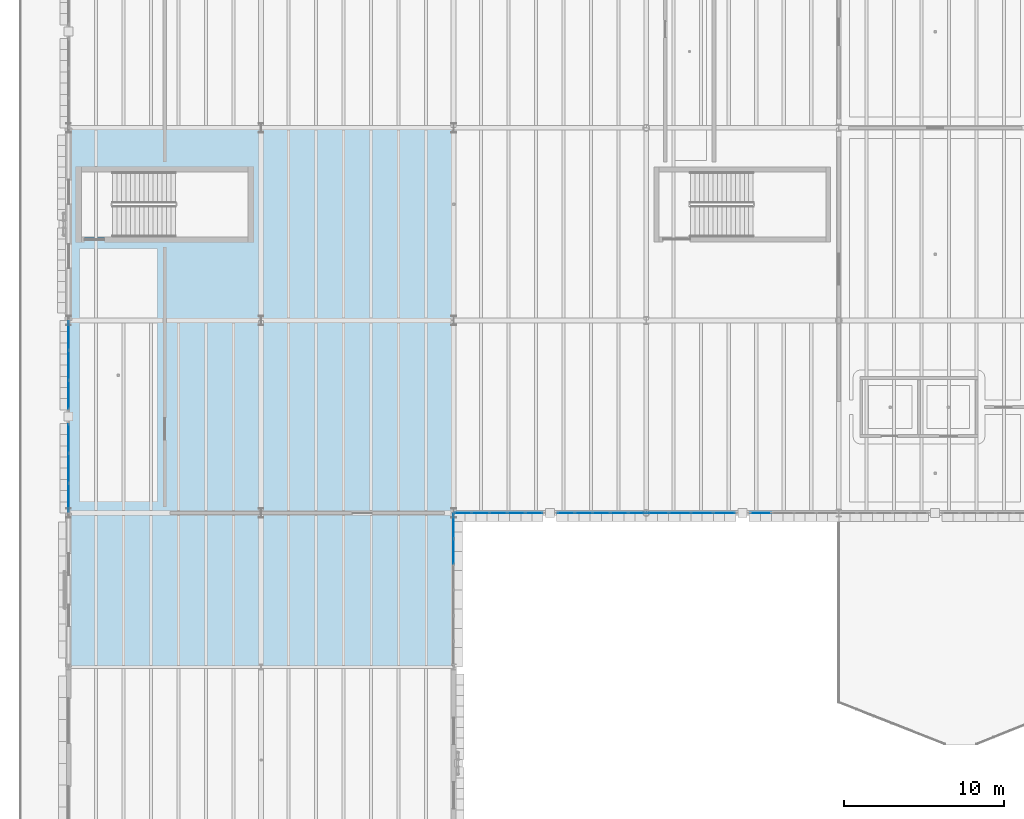
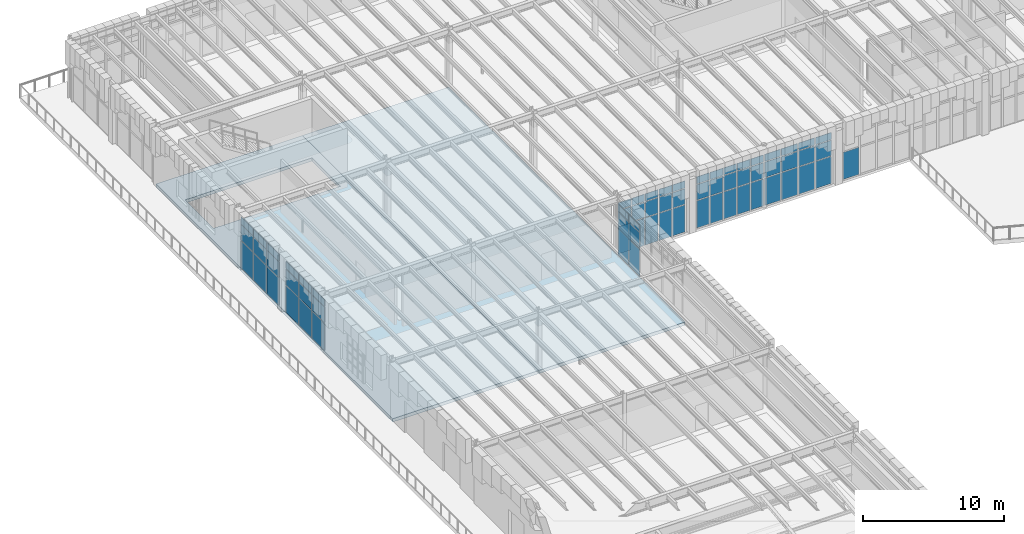
# One storey, part 41 of 103: 67 plates, 2 slabs, 7 elements without a shape of their own.
"""IFC4 building model written with IfcOpenShell, lengths in metres."""

from ifc_helpers import new_model, si_unit, direction, frame, origin, origin_2d, place, context, subcontext, project, spatial, polyline, rectangle, outline, extrude, material, layer, layer_set, type_object, element, aggregate, save


model = new_model("IFC4")

# Units and contexts
model_context = context("Model", 3, precision=1e-05, world=origin(), true_north=direction((0.0, 1.0)))
body_context = subcontext(model_context, "Body", "Model", "MODEL_VIEW")
ifc_project = project(units=[si_unit("LENGTHUNIT", "METRE"), si_unit("AREAUNIT", "SQUARE_METRE"), si_unit("VOLUMEUNIT", "CUBIC_METRE"), si_unit("PLANEANGLEUNIT", "RADIAN"), si_unit("MASSUNIT", "GRAM", prefix="KILO")], contexts=[model_context])

# Site, building, storey
site_placement = place(None, origin())
site = spatial("IfcSite", under=ifc_project, at=site_placement, CompositionType="ELEMENT")
building_placement = place(site_placement, origin())
building = spatial("IfcBuilding", under=site, at=building_placement, Name="Zlatogorsky Bluff Art Gallery", CompositionType="ELEMENT")
storey_placement = place(building_placement, origin())
storey = spatial("IfcBuildingStorey", under=building, at=storey_placement, Name="L00", CompositionType="ELEMENT", Elevation=0.0)

# Curtain wall, plates
ifc_material_1 = material(Name="Anodised Bronze Aluminium and Low-Iron Triple Glazing", Category="aluminium")
ifc_layer_1 = layer(ifc_material_1, 0.219970703125)
ifc_layer_set_1 = layer_set([ifc_layer_1], Name="Curtain Wall CW-04")
curtain_wall_type_1 = type_object("IfcCurtainWallType", Name="Curtain Wall CW-04", PredefinedType="USERDEFINED", material=ifc_layer_set_1)
curtain_wall_1_placement = place(storey_placement, origin())
curtain_wall_1 = element("IfcCurtainWall", 1, at=curtain_wall_1_placement, inside=storey, type_object=curtain_wall_type_1, Name="Unitised curtain wall CW-04 L00 W 0.8-A", ObjectType="CURTAIN WALL", PredefinedType="USERDEFINED")
ifc_material_2 = material(Name="Low-Iron Laminated Triple Glazing", Category="glass")
ifc_layer_2 = layer(ifc_material_2, 0.035888671875)
ifc_layer_set_2 = layer_set([ifc_layer_2], Name="Glazed Curtain Panel CWP-01")
plate_type = type_object("IfcPlateType", Name="Glazed Curtain Panel CWP-01", PredefinedType="CURTAIN_PANEL", material=ifc_layer_set_2)
plate_1_placement = place(storey_placement, frame((0.0, 95.0537109375, 0.06494140625), z_axis=(0.0, 0.0, 1.0), x_axis=(0.0, -1.0, 0.0)))
plate_1 = element("IfcPlate", 2, at=plate_1_placement, type_object=plate_type, Name="CW-04 panel 1.1", PredefinedType="CURTAIN_PANEL", context=body_context, shape_type="SweptSolid", body=[
    extrude(rectangle(XDim=1.762451171875, YDim=0.035888671875, at=origin_2d()), origin(), (0.0, 0.0, 1.0), 2.3525390625),
])
plate_2_placement = place(storey_placement, frame((0.0, 95.0537109375, 2.482421875), z_axis=(0.0, 0.0, 1.0), x_axis=(0.0, -1.0, 0.0)))
plate_2 = element("IfcPlate", 3, at=plate_2_placement, type_object=plate_type, Name="CW-04 panel 1.2", PredefinedType="CURTAIN_PANEL", context=body_context, shape_type="SweptSolid", body=[
    extrude(rectangle(XDim=1.762451171875, YDim=0.035888671875, at=origin_2d()), origin(), (0.0, 0.0, 1.0), 1.3349609375),
])
plate_3_placement = place(storey_placement, frame((0.0, 95.0537109375, 3.88232421875), z_axis=(0.0, 0.0, 1.0), x_axis=(0.0, -1.0, 0.0)))
plate_3 = element("IfcPlate", 4, at=plate_3_placement, type_object=plate_type, Name="CW-04 panel 1.3", PredefinedType="CURTAIN_PANEL", context=body_context, shape_type="SweptSolid", body=[
    extrude(rectangle(XDim=1.762451171875, YDim=0.035888671875, at=origin_2d()), origin(), (0.0, 0.0, 1.0), 0.612548828125),
])
plate_4_placement = place(storey_placement, frame((0.0, 93.2099609375, 0.06494140625), z_axis=(0.0, 0.0, 1.0), x_axis=(0.0, -1.0, 0.0)))
plate_4 = element("IfcPlate", 5, at=plate_4_placement, type_object=plate_type, Name="CW-04 panel 2.1", PredefinedType="CURTAIN_PANEL", context=body_context, shape_type="SweptSolid", body=[
    extrude(rectangle(XDim=1.794921875, YDim=0.035888671875, at=origin_2d()), origin(), (0.0, 0.0, 1.0), 2.3525390625),
])
plate_5_placement = place(storey_placement, frame((0.0, 93.2099609375, 2.482421875), z_axis=(0.0, 0.0, 1.0), x_axis=(0.0, -1.0, 0.0)))
plate_5 = element("IfcPlate", 6, at=plate_5_placement, type_object=plate_type, Name="CW-04 panel 2.2", PredefinedType="CURTAIN_PANEL", context=body_context, shape_type="SweptSolid", body=[
    extrude(rectangle(XDim=1.794921875, YDim=0.035888671875, at=origin_2d()), origin(), (0.0, 0.0, 1.0), 1.3349609375),
])
plate_6_placement = place(storey_placement, frame((0.0, 93.2099609375, 3.88232421875), z_axis=(0.0, 0.0, 1.0), x_axis=(0.0, -1.0, 0.0)))
plate_6 = element("IfcPlate", 7, at=plate_6_placement, type_object=plate_type, Name="CW-04 panel 2.3", PredefinedType="CURTAIN_PANEL", context=body_context, shape_type="SweptSolid", body=[
    extrude(rectangle(XDim=1.794921875, YDim=0.035888671875, at=origin_2d()), origin(), (0.0, 0.0, 1.0), 0.612548828125),
])
plate_7_placement = place(storey_placement, frame((0.0, 91.3662109375, 0.06494140625), z_axis=(0.0, 0.0, 1.0), x_axis=(0.0, -1.0, 0.0)))
plate_7 = element("IfcPlate", 8, at=plate_7_placement, type_object=plate_type, Name="CW-04 panel 3.1", PredefinedType="CURTAIN_PANEL", context=body_context, shape_type="SweptSolid", body=[
    extrude(rectangle(XDim=1.762451171875, YDim=0.035888671875, at=origin_2d()), origin(), (0.0, 0.0, 1.0), 2.3525390625),
])
plate_8_placement = place(storey_placement, frame((0.0, 91.3662109375, 2.482421875), z_axis=(0.0, 0.0, 1.0), x_axis=(0.0, -1.0, 0.0)))
plate_8 = element("IfcPlate", 9, at=plate_8_placement, type_object=plate_type, Name="CW-04 panel 3.2", PredefinedType="CURTAIN_PANEL", context=body_context, shape_type="SweptSolid", body=[
    extrude(rectangle(XDim=1.762451171875, YDim=0.035888671875, at=origin_2d()), origin(), (0.0, 0.0, 1.0), 1.3349609375),
])
plate_9_placement = place(storey_placement, frame((0.0, 91.3662109375, 3.88232421875), z_axis=(0.0, 0.0, 1.0), x_axis=(0.0, -1.0, 0.0)))
plate_9 = element("IfcPlate", 10, at=plate_9_placement, type_object=plate_type, Name="CW-04 panel 3.3", PredefinedType="CURTAIN_PANEL", context=body_context, shape_type="SweptSolid", body=[
    extrude(rectangle(XDim=1.762451171875, YDim=0.035888671875, at=origin_2d()), origin(), (0.0, 0.0, 1.0), 0.612548828125),
])
aggregate(curtain_wall_1, [plate_1, plate_2, plate_3, plate_4, plate_5, plate_6, plate_7, plate_8, plate_9])

curtain_wall_2_placement = place(storey_placement, origin())
curtain_wall_2 = element("IfcCurtainWall", 11, at=curtain_wall_2_placement, inside=storey, type_object=curtain_wall_type_1, Name="Unitised curtain wall CW-04 L00 W 0.8-B", ObjectType="CURTAIN WALL", PredefinedType="USERDEFINED")
plate_10_placement = place(storey_placement, frame((0.0, 88.6337890625, 0.06494140625), z_axis=(0.0, 0.0, 1.0), x_axis=(0.0, -1.0, 0.0)))
plate_10 = element("IfcPlate", 12, at=plate_10_placement, type_object=plate_type, Name="CW-04 panel 1.1", PredefinedType="CURTAIN_PANEL", context=body_context, shape_type="SweptSolid", body=[
    extrude(rectangle(XDim=1.762451171875, YDim=0.035888671875, at=origin_2d()), origin(), (0.0, 0.0, 1.0), 2.3525390625),
])
plate_11_placement = place(storey_placement, frame((0.0, 88.6337890625, 2.482421875), z_axis=(0.0, 0.0, 1.0), x_axis=(0.0, -1.0, 0.0)))
plate_11 = element("IfcPlate", 13, at=plate_11_placement, type_object=plate_type, Name="CW-04 panel 1.2", PredefinedType="CURTAIN_PANEL", context=body_context, shape_type="SweptSolid", body=[
    extrude(rectangle(XDim=1.762451171875, YDim=0.035888671875, at=origin_2d()), origin(), (0.0, 0.0, 1.0), 1.3349609375),
])
plate_12_placement = place(storey_placement, frame((0.0, 88.6337890625, 3.88232421875), z_axis=(0.0, 0.0, 1.0), x_axis=(0.0, -1.0, 0.0)))
plate_12 = element("IfcPlate", 14, at=plate_12_placement, type_object=plate_type, Name="CW-04 panel 1.3", PredefinedType="CURTAIN_PANEL", context=body_context, shape_type="SweptSolid", body=[
    extrude(rectangle(XDim=1.762451171875, YDim=0.035888671875, at=origin_2d()), origin(), (0.0, 0.0, 1.0), 0.612548828125),
])
plate_13_placement = place(storey_placement, frame((0.0, 86.7900390625, 0.06494140625), z_axis=(0.0, 0.0, 1.0), x_axis=(0.0, -1.0, 0.0)))
plate_13 = element("IfcPlate", 15, at=plate_13_placement, type_object=plate_type, Name="CW-04 panel 2.1", PredefinedType="CURTAIN_PANEL", context=body_context, shape_type="SweptSolid", body=[
    extrude(rectangle(XDim=1.794921875, YDim=0.035888671875, at=origin_2d()), origin(), (0.0, 0.0, 1.0), 2.3525390625),
])
plate_14_placement = place(storey_placement, frame((0.0, 86.7900390625, 2.482421875), z_axis=(0.0, 0.0, 1.0), x_axis=(0.0, -1.0, 0.0)))
plate_14 = element("IfcPlate", 16, at=plate_14_placement, type_object=plate_type, Name="CW-04 panel 2.2", PredefinedType="CURTAIN_PANEL", context=body_context, shape_type="SweptSolid", body=[
    extrude(rectangle(XDim=1.794921875, YDim=0.035888671875, at=origin_2d()), origin(), (0.0, 0.0, 1.0), 1.3349609375),
])
plate_15_placement = place(storey_placement, frame((0.0, 86.7900390625, 3.88232421875), z_axis=(0.0, 0.0, 1.0), x_axis=(0.0, -1.0, 0.0)))
plate_15 = element("IfcPlate", 17, at=plate_15_placement, type_object=plate_type, Name="CW-04 panel 2.3", PredefinedType="CURTAIN_PANEL", context=body_context, shape_type="SweptSolid", body=[
    extrude(rectangle(XDim=1.794921875, YDim=0.035888671875, at=origin_2d()), origin(), (0.0, 0.0, 1.0), 0.612548828125),
])
plate_16_placement = place(storey_placement, frame((0.0, 84.9462890625, 0.06494140625), z_axis=(0.0, 0.0, 1.0), x_axis=(0.0, -1.0, 0.0)))
plate_16 = element("IfcPlate", 18, at=plate_16_placement, type_object=plate_type, Name="CW-04 panel 3.1", PredefinedType="CURTAIN_PANEL", context=body_context, shape_type="SweptSolid", body=[
    extrude(rectangle(XDim=1.762451171875, YDim=0.035888671875, at=origin_2d()), origin(), (0.0, 0.0, 1.0), 2.3525390625),
])
plate_17_placement = place(storey_placement, frame((0.0, 84.9462890625, 2.482421875), z_axis=(0.0, 0.0, 1.0), x_axis=(0.0, -1.0, 0.0)))
plate_17 = element("IfcPlate", 19, at=plate_17_placement, type_object=plate_type, Name="CW-04 panel 3.2", PredefinedType="CURTAIN_PANEL", context=body_context, shape_type="SweptSolid", body=[
    extrude(rectangle(XDim=1.762451171875, YDim=0.035888671875, at=origin_2d()), origin(), (0.0, 0.0, 1.0), 1.3349609375),
])
plate_18_placement = place(storey_placement, frame((0.0, 84.9462890625, 3.88232421875), z_axis=(0.0, 0.0, 1.0), x_axis=(0.0, -1.0, 0.0)))
plate_18 = element("IfcPlate", 20, at=plate_18_placement, type_object=plate_type, Name="CW-04 panel 3.3", PredefinedType="CURTAIN_PANEL", context=body_context, shape_type="SweptSolid", body=[
    extrude(rectangle(XDim=1.762451171875, YDim=0.035888671875, at=origin_2d()), origin(), (0.0, 0.0, 1.0), 0.612548828125),
])
aggregate(curtain_wall_2, [plate_10, plate_11, plate_12, plate_13, plate_14, plate_15, plate_16, plate_17, plate_18])

ifc_layer_3 = layer(ifc_material_1, 0.199951171875)
ifc_layer_set_3 = layer_set([ifc_layer_3], Name="Curtain Wall CW-02")
curtain_wall_type_2 = type_object("IfcCurtainWallType", Name="Curtain Wall CW-02", PredefinedType="USERDEFINED", material=ifc_layer_set_3)
curtain_wall_3_placement = place(storey_placement, origin())
curtain_wall_3 = element("IfcCurtainWall", 21, at=curtain_wall_3_placement, inside=storey, type_object=curtain_wall_type_2, Name="Unitised curtain wall CW-02 L00 E 1.7", ObjectType="CURTAIN WALL", PredefinedType="USERDEFINED")
plate_19_placement = place(storey_placement, frame((24.0, 81.60009765625, 0.06494140625), z_axis=(0.0, 0.0, 1.0), x_axis=(0.0, 1.0, 0.0)))
plate_19 = element("IfcPlate", 22, at=plate_19_placement, type_object=plate_type, Name="CW-02 panel 5.1", PredefinedType="CURTAIN_PANEL", context=body_context, shape_type="SweptSolid", body=[
    extrude(rectangle(XDim=1.534912109375, YDim=0.035888671875, at=origin_2d()), origin(), (0.0, 0.0, 1.0), 2.3525390625),
])
plate_20_placement = place(storey_placement, frame((24.0, 81.60009765625, 2.482421875), z_axis=(0.0, 0.0, 1.0), x_axis=(0.0, 1.0, 0.0)))
plate_20 = element("IfcPlate", 23, at=plate_20_placement, type_object=plate_type, Name="CW-02 panel 5.2", PredefinedType="CURTAIN_PANEL", context=body_context, shape_type="SweptSolid", body=[
    extrude(rectangle(XDim=1.534912109375, YDim=0.035888671875, at=origin_2d()), origin(), (0.0, 0.0, 1.0), 1.3349609375),
])
plate_21_placement = place(storey_placement, frame((24.0, 81.60009765625, 3.88232421875), z_axis=(0.0, 0.0, 1.0), x_axis=(0.0, 1.0, 0.0)))
plate_21 = element("IfcPlate", 24, at=plate_21_placement, type_object=plate_type, Name="CW-02 panel 5.3", PredefinedType="CURTAIN_PANEL", context=body_context, shape_type="SweptSolid", body=[
    extrude(rectangle(XDim=1.534912109375, YDim=0.035888671875, at=origin_2d()), origin(), (0.0, 0.0, 1.0), 0.612548828125),
])
plate_22_placement = place(storey_placement, frame((24.0, 83.183837890625, 0.06494140625), z_axis=(0.0, 0.0, 1.0), x_axis=(0.0, 1.0, 0.0)))
plate_22 = element("IfcPlate", 25, at=plate_22_placement, type_object=plate_type, Name="CW-02 panel 6.1", PredefinedType="CURTAIN_PANEL", context=body_context, shape_type="SweptSolid", body=[
    extrude(rectangle(XDim=1.50244140625, YDim=0.035888671875, at=origin_2d()), origin(), (0.0, 0.0, 1.0), 2.3525390625),
])
plate_23_placement = place(storey_placement, frame((24.0, 83.183837890625, 2.482421875), z_axis=(0.0, 0.0, 1.0), x_axis=(0.0, 1.0, 0.0)))
plate_23 = element("IfcPlate", 26, at=plate_23_placement, type_object=plate_type, Name="CW-02 panel 6.2", PredefinedType="CURTAIN_PANEL", context=body_context, shape_type="SweptSolid", body=[
    extrude(rectangle(XDim=1.50244140625, YDim=0.035888671875, at=origin_2d()), origin(), (0.0, 0.0, 1.0), 1.3349609375),
])
plate_24_placement = place(storey_placement, frame((24.0, 83.183837890625, 3.88232421875), z_axis=(0.0, 0.0, 1.0), x_axis=(0.0, 1.0, 0.0)))
plate_24 = element("IfcPlate", 27, at=plate_24_placement, type_object=plate_type, Name="CW-02 panel 6.3", PredefinedType="CURTAIN_PANEL", context=body_context, shape_type="SweptSolid", body=[
    extrude(rectangle(XDim=1.50244140625, YDim=0.035888671875, at=origin_2d()), origin(), (0.0, 0.0, 1.0), 0.612548828125),
])
aggregate(curtain_wall_3, [plate_19, plate_20, plate_21, plate_22, plate_23, plate_24])

ifc_layer_4 = layer(ifc_material_1, 0.179931640625)
ifc_layer_set_4 = layer_set([ifc_layer_4], Name="Curtain Wall CW-03")
curtain_wall_type_3 = type_object("IfcCurtainWallType", Name="Curtain Wall CW-03", PredefinedType="USERDEFINED", material=ifc_layer_set_4)
curtain_wall_4_placement = place(storey_placement, origin())
curtain_wall_4 = element("IfcCurtainWall", 28, at=curtain_wall_4_placement, inside=storey, type_object=curtain_wall_type_3, Name="Unitised curtain wall CW-03 L00 S 2.8-A", ObjectType="CURTAIN WALL", PredefinedType="USERDEFINED")
plate_25_placement = place(storey_placement, frame((24.57421875, 84.0, 0.06494140625), z_axis=(0.0, 0.0, 1.0), x_axis=(1.0, 0.0, 0.0)))
plate_25 = element("IfcPlate", 29, at=plate_25_placement, type_object=plate_type, Name="CW-03 panel 1.1", PredefinedType="CURTAIN_PANEL", context=body_context, shape_type="SweptSolid", body=[
    extrude(rectangle(XDim=1.0185546875, YDim=0.035888671875, at=origin_2d()), origin(), (0.0, 0.0, 1.0), 2.3525390625),
])
plate_26_placement = place(storey_placement, frame((24.57421875, 84.0, 2.482421875), z_axis=(0.0, 0.0, 1.0), x_axis=(1.0, 0.0, 0.0)))
plate_26 = element("IfcPlate", 30, at=plate_26_placement, type_object=plate_type, Name="CW-03 panel 1.2", PredefinedType="CURTAIN_PANEL", context=body_context, shape_type="SweptSolid", body=[
    extrude(rectangle(XDim=1.0185546875, YDim=0.035888671875, at=origin_2d()), origin(), (0.0, 0.0, 1.0), 1.3349609375),
])
plate_27_placement = place(storey_placement, frame((24.57421875, 84.0, 3.88232421875), z_axis=(0.0, 0.0, 1.0), x_axis=(1.0, 0.0, 0.0)))
plate_27 = element("IfcPlate", 31, at=plate_27_placement, type_object=plate_type, Name="CW-03 panel 1.3", PredefinedType="CURTAIN_PANEL", context=body_context, shape_type="SweptSolid", body=[
    extrude(rectangle(XDim=1.0185546875, YDim=0.035888671875, at=origin_2d()), origin(), (0.0, 0.0, 1.0), 0.612548828125),
])
plate_28_placement = place(storey_placement, frame((25.674072265625, 84.0, 0.06494140625), z_axis=(0.0, 0.0, 1.0), x_axis=(1.0, 0.0, 0.0)))
plate_28 = element("IfcPlate", 32, at=plate_28_placement, type_object=plate_type, Name="CW-03 panel 2.1", PredefinedType="CURTAIN_PANEL", context=body_context, shape_type="SweptSolid", body=[
    extrude(rectangle(XDim=1.051025390625, YDim=0.035888671875, at=origin_2d()), origin(), (0.0, 0.0, 1.0), 2.3525390625),
])
plate_29_placement = place(storey_placement, frame((25.674072265625, 84.0, 2.482421875), z_axis=(0.0, 0.0, 1.0), x_axis=(1.0, 0.0, 0.0)))
plate_29 = element("IfcPlate", 33, at=plate_29_placement, type_object=plate_type, Name="CW-03 panel 2.2", PredefinedType="CURTAIN_PANEL", context=body_context, shape_type="SweptSolid", body=[
    extrude(rectangle(XDim=1.051025390625, YDim=0.035888671875, at=origin_2d()), origin(), (0.0, 0.0, 1.0), 1.3349609375),
])
plate_30_placement = place(storey_placement, frame((25.674072265625, 84.0, 3.88232421875), z_axis=(0.0, 0.0, 1.0), x_axis=(1.0, 0.0, 0.0)))
plate_30 = element("IfcPlate", 34, at=plate_30_placement, type_object=plate_type, Name="CW-03 panel 2.3", PredefinedType="CURTAIN_PANEL", context=body_context, shape_type="SweptSolid", body=[
    extrude(rectangle(XDim=1.051025390625, YDim=0.035888671875, at=origin_2d()), origin(), (0.0, 0.0, 1.0), 0.612548828125),
])
plate_31_placement = place(storey_placement, frame((26.7900390625, 84.0, 0.06494140625), z_axis=(0.0, 0.0, 1.0), x_axis=(1.0, 0.0, 0.0)))
plate_31 = element("IfcPlate", 35, at=plate_31_placement, type_object=plate_type, Name="CW-03 panel 3.1", PredefinedType="CURTAIN_PANEL", context=body_context, shape_type="SweptSolid", body=[
    extrude(rectangle(XDim=1.051025390625, YDim=0.035888671875, at=origin_2d()), origin(), (0.0, 0.0, 1.0), 2.3525390625),
])
plate_32_placement = place(storey_placement, frame((26.7900390625, 84.0, 2.482421875), z_axis=(0.0, 0.0, 1.0), x_axis=(1.0, 0.0, 0.0)))
plate_32 = element("IfcPlate", 36, at=plate_32_placement, type_object=plate_type, Name="CW-03 panel 3.2", PredefinedType="CURTAIN_PANEL", context=body_context, shape_type="SweptSolid", body=[
    extrude(rectangle(XDim=1.051025390625, YDim=0.035888671875, at=origin_2d()), origin(), (0.0, 0.0, 1.0), 1.3349609375),
])
plate_33_placement = place(storey_placement, frame((26.7900390625, 84.0, 3.88232421875), z_axis=(0.0, 0.0, 1.0), x_axis=(1.0, 0.0, 0.0)))
plate_33 = element("IfcPlate", 37, at=plate_33_placement, type_object=plate_type, Name="CW-03 panel 3.3", PredefinedType="CURTAIN_PANEL", context=body_context, shape_type="SweptSolid", body=[
    extrude(rectangle(XDim=1.051025390625, YDim=0.035888671875, at=origin_2d()), origin(), (0.0, 0.0, 1.0), 0.612548828125),
])
plate_34_placement = place(storey_placement, frame((27.906005859375, 84.0, 0.06494140625), z_axis=(0.0, 0.0, 1.0), x_axis=(1.0, 0.0, 0.0)))
plate_34 = element("IfcPlate", 38, at=plate_34_placement, type_object=plate_type, Name="CW-03 panel 4.1", PredefinedType="CURTAIN_PANEL", context=body_context, shape_type="SweptSolid", body=[
    extrude(rectangle(XDim=1.051025390625, YDim=0.035888671875, at=origin_2d()), origin(), (0.0, 0.0, 1.0), 2.3525390625),
])
plate_35_placement = place(storey_placement, frame((27.906005859375, 84.0, 2.482421875), z_axis=(0.0, 0.0, 1.0), x_axis=(1.0, 0.0, 0.0)))
plate_35 = element("IfcPlate", 39, at=plate_35_placement, type_object=plate_type, Name="CW-03 panel 4.2", PredefinedType="CURTAIN_PANEL", context=body_context, shape_type="SweptSolid", body=[
    extrude(rectangle(XDim=1.051025390625, YDim=0.035888671875, at=origin_2d()), origin(), (0.0, 0.0, 1.0), 1.3349609375),
])
plate_36_placement = place(storey_placement, frame((27.906005859375, 84.0, 3.88232421875), z_axis=(0.0, 0.0, 1.0), x_axis=(1.0, 0.0, 0.0)))
plate_36 = element("IfcPlate", 40, at=plate_36_placement, type_object=plate_type, Name="CW-03 panel 4.3", PredefinedType="CURTAIN_PANEL", context=body_context, shape_type="SweptSolid", body=[
    extrude(rectangle(XDim=1.051025390625, YDim=0.035888671875, at=origin_2d()), origin(), (0.0, 0.0, 1.0), 0.612548828125),
])
plate_37_placement = place(storey_placement, frame((29.005859375, 84.0, 0.06494140625), z_axis=(0.0, 0.0, 1.0), x_axis=(1.0, 0.0, 0.0)))
plate_37 = element("IfcPlate", 41, at=plate_37_placement, type_object=plate_type, Name="CW-03 panel 5.1", PredefinedType="CURTAIN_PANEL", context=body_context, shape_type="SweptSolid", body=[
    extrude(rectangle(XDim=1.0185546875, YDim=0.035888671875, at=origin_2d()), origin(), (0.0, 0.0, 1.0), 2.3525390625),
])
plate_38_placement = place(storey_placement, frame((29.005859375, 84.0, 2.482421875), z_axis=(0.0, 0.0, 1.0), x_axis=(1.0, 0.0, 0.0)))
plate_38 = element("IfcPlate", 42, at=plate_38_placement, type_object=plate_type, Name="CW-03 panel 5.2", PredefinedType="CURTAIN_PANEL", context=body_context, shape_type="SweptSolid", body=[
    extrude(rectangle(XDim=1.0185546875, YDim=0.035888671875, at=origin_2d()), origin(), (0.0, 0.0, 1.0), 1.3349609375),
])
plate_39_placement = place(storey_placement, frame((29.005859375, 84.0, 3.88232421875), z_axis=(0.0, 0.0, 1.0), x_axis=(1.0, 0.0, 0.0)))
plate_39 = element("IfcPlate", 43, at=plate_39_placement, type_object=plate_type, Name="CW-03 panel 5.3", PredefinedType="CURTAIN_PANEL", context=body_context, shape_type="SweptSolid", body=[
    extrude(rectangle(XDim=1.0185546875, YDim=0.035888671875, at=origin_2d()), origin(), (0.0, 0.0, 1.0), 0.612548828125),
])
aggregate(curtain_wall_4, [plate_25, plate_26, plate_27, plate_28, plate_29, plate_30, plate_31, plate_32, plate_33, plate_34, plate_35, plate_36, plate_37, plate_38, plate_39])

curtain_wall_5_placement = place(storey_placement, origin())
curtain_wall_5 = element("IfcCurtainWall", 44, at=curtain_wall_5_placement, inside=storey, type_object=curtain_wall_type_3, Name="Unitised curtain wall CW-03 L00 S 2.8-B", ObjectType="CURTAIN WALL", PredefinedType="USERDEFINED")
plate_40_placement = place(storey_placement, frame((30.994140625, 84.0, 0.06494140625), z_axis=(0.0, 0.0, 1.0), x_axis=(1.0, 0.0, 0.0)))
plate_40 = element("IfcPlate", 45, at=plate_40_placement, type_object=plate_type, Name="CW-03 panel 1.1", PredefinedType="CURTAIN_PANEL", context=body_context, shape_type="SweptSolid", body=[
    extrude(rectangle(XDim=1.0185546875, YDim=0.035888671875, at=origin_2d()), origin(), (0.0, 0.0, 1.0), 2.3525390625),
])
plate_41_placement = place(storey_placement, frame((30.994140625, 84.0, 2.482421875), z_axis=(0.0, 0.0, 1.0), x_axis=(1.0, 0.0, 0.0)))
plate_41 = element("IfcPlate", 46, at=plate_41_placement, type_object=plate_type, Name="CW-03 panel 1.2", PredefinedType="CURTAIN_PANEL", context=body_context, shape_type="SweptSolid", body=[
    extrude(rectangle(XDim=1.0185546875, YDim=0.035888671875, at=origin_2d()), origin(), (0.0, 0.0, 1.0), 1.3349609375),
])
plate_42_placement = place(storey_placement, frame((30.994140625, 84.0, 3.88232421875), z_axis=(0.0, 0.0, 1.0), x_axis=(1.0, 0.0, 0.0)))
plate_42 = element("IfcPlate", 47, at=plate_42_placement, type_object=plate_type, Name="CW-03 panel 1.3", PredefinedType="CURTAIN_PANEL", context=body_context, shape_type="SweptSolid", body=[
    extrude(rectangle(XDim=1.0185546875, YDim=0.035888671875, at=origin_2d()), origin(), (0.0, 0.0, 1.0), 0.612548828125),
])
plate_43_placement = place(storey_placement, frame((32.093994140625, 84.0, 0.06494140625), z_axis=(0.0, 0.0, 1.0), x_axis=(1.0, 0.0, 0.0)))
plate_43 = element("IfcPlate", 48, at=plate_43_placement, type_object=plate_type, Name="CW-03 panel 2.1", PredefinedType="CURTAIN_PANEL", context=body_context, shape_type="SweptSolid", body=[
    extrude(rectangle(XDim=1.051025390625, YDim=0.035888671875, at=origin_2d()), origin(), (0.0, 0.0, 1.0), 2.3525390625),
])
plate_44_placement = place(storey_placement, frame((32.093994140625, 84.0, 2.482421875), z_axis=(0.0, 0.0, 1.0), x_axis=(1.0, 0.0, 0.0)))
plate_44 = element("IfcPlate", 49, at=plate_44_placement, type_object=plate_type, Name="CW-03 panel 2.2", PredefinedType="CURTAIN_PANEL", context=body_context, shape_type="SweptSolid", body=[
    extrude(rectangle(XDim=1.051025390625, YDim=0.035888671875, at=origin_2d()), origin(), (0.0, 0.0, 1.0), 1.3349609375),
])
plate_45_placement = place(storey_placement, frame((32.093994140625, 84.0, 3.88232421875), z_axis=(0.0, 0.0, 1.0), x_axis=(1.0, 0.0, 0.0)))
plate_45 = element("IfcPlate", 50, at=plate_45_placement, type_object=plate_type, Name="CW-03 panel 2.3", PredefinedType="CURTAIN_PANEL", context=body_context, shape_type="SweptSolid", body=[
    extrude(rectangle(XDim=1.051025390625, YDim=0.035888671875, at=origin_2d()), origin(), (0.0, 0.0, 1.0), 0.612548828125),
])
plate_46_placement = place(storey_placement, frame((33.2099609375, 84.0, 0.06494140625), z_axis=(0.0, 0.0, 1.0), x_axis=(1.0, 0.0, 0.0)))
plate_46 = element("IfcPlate", 51, at=plate_46_placement, type_object=plate_type, Name="CW-03 panel 3.1", PredefinedType="CURTAIN_PANEL", context=body_context, shape_type="SweptSolid", body=[
    extrude(rectangle(XDim=1.051025390625, YDim=0.035888671875, at=origin_2d()), origin(), (0.0, 0.0, 1.0), 2.3525390625),
])
plate_47_placement = place(storey_placement, frame((33.2099609375, 84.0, 2.482421875), z_axis=(0.0, 0.0, 1.0), x_axis=(1.0, 0.0, 0.0)))
plate_47 = element("IfcPlate", 52, at=plate_47_placement, type_object=plate_type, Name="CW-03 panel 3.2", PredefinedType="CURTAIN_PANEL", context=body_context, shape_type="SweptSolid", body=[
    extrude(rectangle(XDim=1.051025390625, YDim=0.035888671875, at=origin_2d()), origin(), (0.0, 0.0, 1.0), 1.3349609375),
])
plate_48_placement = place(storey_placement, frame((33.2099609375, 84.0, 3.88232421875), z_axis=(0.0, 0.0, 1.0), x_axis=(1.0, 0.0, 0.0)))
plate_48 = element("IfcPlate", 53, at=plate_48_placement, type_object=plate_type, Name="CW-03 panel 3.3", PredefinedType="CURTAIN_PANEL", context=body_context, shape_type="SweptSolid", body=[
    extrude(rectangle(XDim=1.051025390625, YDim=0.035888671875, at=origin_2d()), origin(), (0.0, 0.0, 1.0), 0.612548828125),
])
plate_49_placement = place(storey_placement, frame((34.325927734375, 84.0, 0.06494140625), z_axis=(0.0, 0.0, 1.0), x_axis=(1.0, 0.0, 0.0)))
plate_49 = element("IfcPlate", 54, at=plate_49_placement, type_object=plate_type, Name="CW-03 panel 4.1", PredefinedType="CURTAIN_PANEL", context=body_context, shape_type="SweptSolid", body=[
    extrude(rectangle(XDim=1.051025390625, YDim=0.035888671875, at=origin_2d()), origin(), (0.0, 0.0, 1.0), 2.3525390625),
])
plate_50_placement = place(storey_placement, frame((34.325927734375, 84.0, 2.482421875), z_axis=(0.0, 0.0, 1.0), x_axis=(1.0, 0.0, 0.0)))
plate_50 = element("IfcPlate", 55, at=plate_50_placement, type_object=plate_type, Name="CW-03 panel 4.2", PredefinedType="CURTAIN_PANEL", context=body_context, shape_type="SweptSolid", body=[
    extrude(rectangle(XDim=1.051025390625, YDim=0.035888671875, at=origin_2d()), origin(), (0.0, 0.0, 1.0), 1.3349609375),
])
plate_51_placement = place(storey_placement, frame((34.325927734375, 84.0, 3.88232421875), z_axis=(0.0, 0.0, 1.0), x_axis=(1.0, 0.0, 0.0)))
plate_51 = element("IfcPlate", 56, at=plate_51_placement, type_object=plate_type, Name="CW-03 panel 4.3", PredefinedType="CURTAIN_PANEL", context=body_context, shape_type="SweptSolid", body=[
    extrude(rectangle(XDim=1.051025390625, YDim=0.035888671875, at=origin_2d()), origin(), (0.0, 0.0, 1.0), 0.612548828125),
])
plate_52_placement = place(storey_placement, frame((35.42578125, 84.0, 0.06494140625), z_axis=(0.0, 0.0, 1.0), x_axis=(1.0, 0.0, 0.0)))
plate_52 = element("IfcPlate", 57, at=plate_52_placement, type_object=plate_type, Name="CW-03 panel 5.1", PredefinedType="CURTAIN_PANEL", context=body_context, shape_type="SweptSolid", body=[
    extrude(rectangle(XDim=1.0185546875, YDim=0.035888671875, at=origin_2d()), origin(), (0.0, 0.0, 1.0), 2.3525390625),
])
plate_53_placement = place(storey_placement, frame((35.42578125, 84.0, 2.482421875), z_axis=(0.0, 0.0, 1.0), x_axis=(1.0, 0.0, 0.0)))
plate_53 = element("IfcPlate", 58, at=plate_53_placement, type_object=plate_type, Name="CW-03 panel 5.2", PredefinedType="CURTAIN_PANEL", context=body_context, shape_type="SweptSolid", body=[
    extrude(rectangle(XDim=1.0185546875, YDim=0.035888671875, at=origin_2d()), origin(), (0.0, 0.0, 1.0), 1.3349609375),
])
plate_54_placement = place(storey_placement, frame((35.42578125, 84.0, 3.88232421875), z_axis=(0.0, 0.0, 1.0), x_axis=(1.0, 0.0, 0.0)))
plate_54 = element("IfcPlate", 59, at=plate_54_placement, type_object=plate_type, Name="CW-03 panel 5.3", PredefinedType="CURTAIN_PANEL", context=body_context, shape_type="SweptSolid", body=[
    extrude(rectangle(XDim=1.0185546875, YDim=0.035888671875, at=origin_2d()), origin(), (0.0, 0.0, 1.0), 0.612548828125),
])
aggregate(curtain_wall_5, [plate_40, plate_41, plate_42, plate_43, plate_44, plate_45, plate_46, plate_47, plate_48, plate_49, plate_50, plate_51, plate_52, plate_53, plate_54])

ifc_layer_5 = layer(ifc_material_1, 0.179931640625)
ifc_layer_set_5 = layer_set([ifc_layer_5], Name="Curtain Wall CW-01")
curtain_wall_type_4 = type_object("IfcCurtainWallType", Name="Curtain Wall CW-01", PredefinedType="USERDEFINED", material=ifc_layer_set_5)
curtain_wall_6_placement = place(storey_placement, origin())
curtain_wall_6 = element("IfcCurtainWall", 60, at=curtain_wall_6_placement, inside=storey, type_object=curtain_wall_type_4, Name="Unitised curtain wall CW-01 L00 S 3.8-A", ObjectType="CURTAIN WALL", PredefinedType="USERDEFINED")
plate_55_placement = place(storey_placement, frame((36.7138671875, 84.0, 0.06494140625), z_axis=(0.0, 0.0, 1.0), x_axis=(1.0, 0.0, 0.0)))
plate_55 = element("IfcPlate", 61, at=plate_55_placement, type_object=plate_type, Name="CW-01 panel 1.1", PredefinedType="CURTAIN_PANEL", context=body_context, shape_type="SweptSolid", body=[
    extrude(rectangle(XDim=1.297607421875, YDim=0.035888671875, at=origin_2d()), origin(), (0.0, 0.0, 1.0), 2.3525390625),
])
plate_56_placement = place(storey_placement, frame((36.7138671875, 84.0, 2.482421875), z_axis=(0.0, 0.0, 1.0), x_axis=(1.0, 0.0, 0.0)))
plate_56 = element("IfcPlate", 62, at=plate_56_placement, type_object=plate_type, Name="CW-01 panel 1.2", PredefinedType="CURTAIN_PANEL", context=body_context, shape_type="SweptSolid", body=[
    extrude(rectangle(XDim=1.297607421875, YDim=0.035888671875, at=origin_2d()), origin(), (0.0, 0.0, 1.0), 1.3349609375),
])
plate_57_placement = place(storey_placement, frame((36.7138671875, 84.0, 3.88232421875), z_axis=(0.0, 0.0, 1.0), x_axis=(1.0, 0.0, 0.0)))
plate_57 = element("IfcPlate", 63, at=plate_57_placement, type_object=plate_type, Name="CW-01 panel 1.3", PredefinedType="CURTAIN_PANEL", context=body_context, shape_type="SweptSolid", body=[
    extrude(rectangle(XDim=1.297607421875, YDim=0.035888671875, at=origin_2d()), origin(), (0.0, 0.0, 1.0), 0.612548828125),
])
plate_58_placement = place(storey_placement, frame((38.092529296875, 84.0, 0.06494140625), z_axis=(0.0, 0.0, 1.0), x_axis=(1.0, 0.0, 0.0)))
plate_58 = element("IfcPlate", 64, at=plate_58_placement, type_object=plate_type, Name="CW-01 panel 2.1", PredefinedType="CURTAIN_PANEL", context=body_context, shape_type="SweptSolid", body=[
    extrude(rectangle(XDim=1.330078125, YDim=0.035888671875, at=origin_2d()), origin(), (0.0, 0.0, 1.0), 2.3525390625),
])
plate_59_placement = place(storey_placement, frame((38.092529296875, 84.0, 2.482421875), z_axis=(0.0, 0.0, 1.0), x_axis=(1.0, 0.0, 0.0)))
plate_59 = element("IfcPlate", 65, at=plate_59_placement, type_object=plate_type, Name="CW-01 panel 2.2", PredefinedType="CURTAIN_PANEL", context=body_context, shape_type="SweptSolid", body=[
    extrude(rectangle(XDim=1.330078125, YDim=0.035888671875, at=origin_2d()), origin(), (0.0, 0.0, 1.0), 1.3349609375),
])
plate_60_placement = place(storey_placement, frame((38.092529296875, 84.0, 3.88232421875), z_axis=(0.0, 0.0, 1.0), x_axis=(1.0, 0.0, 0.0)))
plate_60 = element("IfcPlate", 66, at=plate_60_placement, type_object=plate_type, Name="CW-01 panel 2.3", PredefinedType="CURTAIN_PANEL", context=body_context, shape_type="SweptSolid", body=[
    extrude(rectangle(XDim=1.330078125, YDim=0.035888671875, at=origin_2d()), origin(), (0.0, 0.0, 1.0), 0.612548828125),
])
plate_61_placement = place(storey_placement, frame((39.487548828125, 84.0, 0.06494140625), z_axis=(0.0, 0.0, 1.0), x_axis=(1.0, 0.0, 0.0)))
plate_61 = element("IfcPlate", 67, at=plate_61_placement, type_object=plate_type, Name="CW-01 panel 3.1", PredefinedType="CURTAIN_PANEL", context=body_context, shape_type="SweptSolid", body=[
    extrude(rectangle(XDim=1.330078125, YDim=0.035888671875, at=origin_2d()), origin(), (0.0, 0.0, 1.0), 2.3525390625),
])
plate_62_placement = place(storey_placement, frame((39.487548828125, 84.0, 2.482421875), z_axis=(0.0, 0.0, 1.0), x_axis=(1.0, 0.0, 0.0)))
plate_62 = element("IfcPlate", 68, at=plate_62_placement, type_object=plate_type, Name="CW-01 panel 3.2", PredefinedType="CURTAIN_PANEL", context=body_context, shape_type="SweptSolid", body=[
    extrude(rectangle(XDim=1.330078125, YDim=0.035888671875, at=origin_2d()), origin(), (0.0, 0.0, 1.0), 1.3349609375),
])
plate_63_placement = place(storey_placement, frame((39.487548828125, 84.0, 3.88232421875), z_axis=(0.0, 0.0, 1.0), x_axis=(1.0, 0.0, 0.0)))
plate_63 = element("IfcPlate", 69, at=plate_63_placement, type_object=plate_type, Name="CW-01 panel 3.3", PredefinedType="CURTAIN_PANEL", context=body_context, shape_type="SweptSolid", body=[
    extrude(rectangle(XDim=1.330078125, YDim=0.035888671875, at=origin_2d()), origin(), (0.0, 0.0, 1.0), 0.612548828125),
])
plate_64_placement = place(storey_placement, frame((40.8662109375, 84.0, 0.06494140625), z_axis=(0.0, 0.0, 1.0), x_axis=(1.0, 0.0, 0.0)))
plate_64 = element("IfcPlate", 70, at=plate_64_placement, type_object=plate_type, Name="CW-01 panel 4.1", PredefinedType="CURTAIN_PANEL", context=body_context, shape_type="SweptSolid", body=[
    extrude(rectangle(XDim=1.297607421875, YDim=0.035888671875, at=origin_2d()), origin(), (0.0, 0.0, 1.0), 2.3525390625),
])
plate_65_placement = place(storey_placement, frame((40.8662109375, 84.0, 2.482421875), z_axis=(0.0, 0.0, 1.0), x_axis=(1.0, 0.0, 0.0)))
plate_65 = element("IfcPlate", 71, at=plate_65_placement, type_object=plate_type, Name="CW-01 panel 4.2", PredefinedType="CURTAIN_PANEL", context=body_context, shape_type="SweptSolid", body=[
    extrude(rectangle(XDim=1.297607421875, YDim=0.035888671875, at=origin_2d()), origin(), (0.0, 0.0, 1.0), 1.3349609375),
])
plate_66_placement = place(storey_placement, frame((40.8662109375, 84.0, 3.88232421875), z_axis=(0.0, 0.0, 1.0), x_axis=(1.0, 0.0, 0.0)))
plate_66 = element("IfcPlate", 72, at=plate_66_placement, type_object=plate_type, Name="CW-01 panel 4.3", PredefinedType="CURTAIN_PANEL", context=body_context, shape_type="SweptSolid", body=[
    extrude(rectangle(XDim=1.297607421875, YDim=0.035888671875, at=origin_2d()), origin(), (0.0, 0.0, 1.0), 0.612548828125),
])
aggregate(curtain_wall_6, [plate_55, plate_56, plate_57, plate_58, plate_59, plate_60, plate_61, plate_62, plate_63, plate_64, plate_65, plate_66])

# Curtain wall, plate
curtain_wall_7_placement = place(storey_placement, origin())
curtain_wall_7 = element("IfcCurtainWall", 73, at=curtain_wall_7_placement, inside=storey, type_object=curtain_wall_type_4, Name="Unitised curtain wall CW-01 L00 S 3.8-B", ObjectType="CURTAIN WALL", PredefinedType="USERDEFINED")
plate_67_placement = place(storey_placement, frame((43.1337890625, 84.0, 0.06494140625), z_axis=(0.0, 0.0, 1.0), x_axis=(1.0, 0.0, 0.0)))
plate_67 = element("IfcPlate", 74, at=plate_67_placement, type_object=plate_type, Name="CW-01 panel 1.1", PredefinedType="CURTAIN_PANEL", context=body_context, shape_type="SweptSolid", body=[
    extrude(rectangle(XDim=1.297607421875, YDim=0.035888671875, at=origin_2d()), origin(), (0.0, 0.0, 1.0), 2.3525390625),
])
aggregate(curtain_wall_7, [plate_67])

# Slabs
ifc_material_3 = material(Name="Concrete C30/37", Category="concrete")
ifc_layer_6 = layer(ifc_material_3, 0.280029296875)
ifc_layer_set_6 = layer_set([ifc_layer_6], Name="Slab SL-00 280mm")
slab_type = type_object("IfcSlabType", Name="Slab SL-00 280mm", PredefinedType="FLOOR", material=ifc_layer_set_6)
slab_1_placement = place(storey_placement, frame((0.0, 0.0, -0.280029296875)))
element("IfcSlab", 75, at=slab_1_placement, inside=storey, type_object=slab_type, Name="L00 structural floor slab panel 03", PredefinedType="FLOOR", context=body_context, shape_type="SweptSolid", body=[
    extrude(outline(polyline([(0.0, 74.39990234375), (0.0, 84.0), (0.0, 96.0), (0.0, 108.0), (12.0, 108.0), (12.0, 96.0), (12.0, 84.0), (12.0, 74.39990234375), (0.0, 74.39990234375)]), holes=[polyline([(11.199951171875, 101.199951171875), (11.199951171875, 105.25), (0.800048828125, 105.25), (0.800048828125, 101.199951171875), (11.199951171875, 101.199951171875)])]), origin(), (0.0, 0.0, 1.0), 0.280029296875),
])
slab_2_placement = place(storey_placement, frame((0.0, 0.0, -0.280029296875)))
element("IfcSlab", 76, at=slab_2_placement, inside=storey, type_object=slab_type, Name="L00 structural floor slab panel 07", PredefinedType="FLOOR", context=body_context, shape_type="SweptSolid", body=[
    extrude(outline(polyline([(12.0, 74.39990234375), (12.0, 84.0), (12.0, 96.0), (12.0, 108.0), (24.0, 108.0), (24.0, 96.0), (24.0, 84.0), (24.0, 74.39990234375), (12.0, 74.39990234375)])), origin(), (0.0, 0.0, 1.0), 0.280029296875),
])

save(model, "model.ifc")
